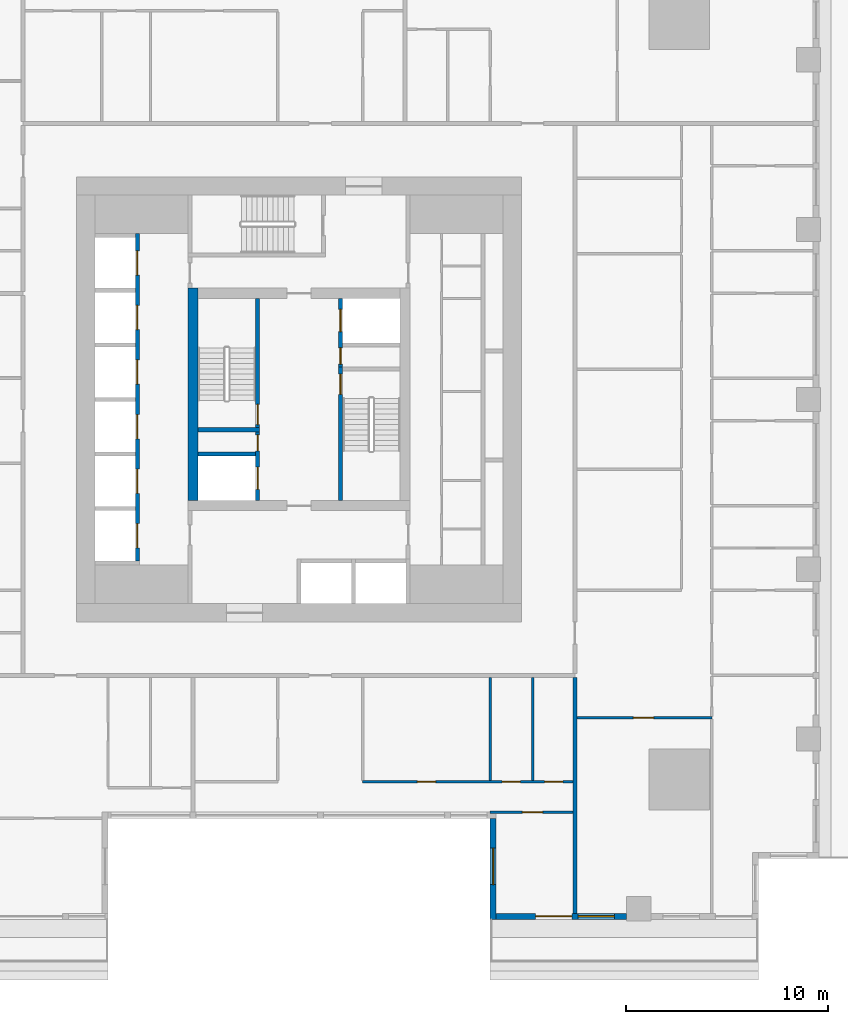
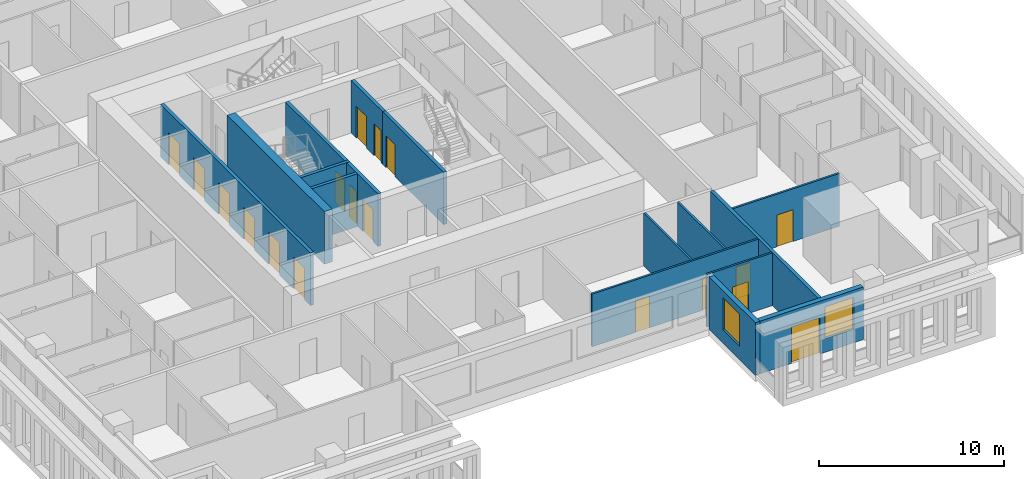
# One storey, part 4 of 15: 18 doors, 16 walls, 2 windows, 20 openings.
"""IFC4 building model written with IfcOpenShell, lengths in metres."""

from ifc_helpers import new_model, si_unit, direction, frame, frame_2d, origin, place, context, subcontext, project, spatial, rectangle, extrude, material, layer, layer_set, type_object, element, fill, save


model = new_model("IFC4")

# Units and contexts
model_context = context("Model", 3, precision=1e-05, world=origin(), true_north=direction((0.0, 1.0)))
body_context = subcontext(model_context, "Body", "Model", "MODEL_VIEW")
ifc_project = project(units=[si_unit("LENGTHUNIT", "METRE"), si_unit("AREAUNIT", "SQUARE_METRE"), si_unit("VOLUMEUNIT", "CUBIC_METRE"), si_unit("PLANEANGLEUNIT", "RADIAN"), si_unit("MASSUNIT", "GRAM", prefix="KILO")], contexts=[model_context])

# Site, building, storey
site_placement = place(None, origin())
site = spatial("IfcSite", under=ifc_project, at=site_placement, CompositionType="ELEMENT")
building_placement = place(site_placement, origin())
building = spatial("IfcBuilding", under=site, at=building_placement, Name="Khepri Terraces", CompositionType="ELEMENT")
storey_placement = place(building_placement, frame((0.0, 0.0, 54.300048828125)))
storey = spatial("IfcBuildingStorey", under=building, at=storey_placement, Name="L12", CompositionType="ELEMENT", Elevation=54.300048828125)

# Wall, opening, door
ifc_material_1 = material(Name="Concrete C80/95", Category="concrete")
ifc_layer_1 = layer(ifc_material_1, 0.199951171875, Name="Concrete C80/95", Category="concrete")
ifc_layer_set_1 = layer_set([ifc_layer_1], Name="Concrete C80/95")
wall_type_1 = type_object("IfcWallType", Name="Core wall 200 C80/95", PredefinedType="SHEAR", material=ifc_layer_set_1)
wall_1_placement = place(storey_placement, frame((2.050048828125, -5.0, 0.0), z_axis=(0.0, 0.0, 1.0), x_axis=(0.0, 1.0, 0.0)))
wall_1 = element("IfcWall", 1, at=wall_1_placement, inside=storey, type_object=wall_type_1, Name="Core wall ST01 L12", PredefinedType="SHEAR", context=body_context, shape_type="SweptSolid", body=[
    extrude(rectangle(XDim=6.60009765625, YDim=0.199951171875, at=frame_2d((3.300048828125, 0.0))), origin(), (0.0, 0.0, 1.0), 3.47998046875),
])
opening_1_placement = place(wall_1_placement, frame((5.25, 0.0, 0.0)))
opening_1 = element("IfcOpeningElement", 2, at=opening_1_placement, cuts=wall_1, Name="Opening L12-C10", PredefinedType="OPENING", context=body_context, shape_type="SweptSolid", body=[
    extrude(rectangle(XDim=1.0, YDim=2.10009765625, at=frame_2d((0.5, 1.050048828125))), frame((0.0, 0.10986328125, 0.0), z_axis=(0.0, -1.0, 0.0), x_axis=(1.0, 0.0, 0.0)), (0.0, 0.0, 1.0), 0.219970703125),
])
ifc_material_2 = material(Name="Painted steel", Category="steel")
door_type_1 = type_object("IfcDoorType", Name="DR-CORE-STAIR-1000", OperationType="NOTDEFINED", PredefinedType="DOOR", material=ifc_material_2)
door_1_placement = place(opening_1_placement, frame((1.0, 0.0, 0.0), z_axis=(0.0, 0.0, 1.0), x_axis=(-1.0, 0.0, 0.0)))
door_1 = element("IfcDoor", 3, at=door_1_placement, inside=storey, type_object=door_type_1, Name="Stair door L12-C10", OperationType="SINGLE_SWING_LEFT", OverallHeight=2.10009765625, OverallWidth=1.0, PredefinedType="DOOR", context=body_context, shape_type="SweptSolid", body=[
    extrude(rectangle(XDim=1.0, YDim=2.10009765625, at=frame_2d((0.5, 1.050048828125))), frame((0.0, 0.02490234375, 0.0), z_axis=(0.0, -1.0, 0.0), x_axis=(1.0, 0.0, 0.0)), (0.0, 0.0, 1.0), 0.050048828125),
])
fill(opening_1, door_1)

# Wall
wall_2_placement = place(storey_placement, frame((-5.0, -1.5, 0.0), z_axis=(0.0, 0.0, 1.0), x_axis=(1.0, 0.0, 0.0)))
element("IfcWall", 4, at=wall_2_placement, inside=storey, type_object=wall_type_1, Name="Core wall ST02 L12", PredefinedType="SHEAR", context=body_context, shape_type="SweptSolid", body=[
    extrude(rectangle(XDim=3.050048828125, YDim=0.199951171875, at=frame_2d((1.52490234375, 0.0))), origin(), (0.0, 0.0, 1.0), 3.47998046875),
])

# Wall, opening, door
wall_3_placement = place(storey_placement, frame((-2.050048828125, -1.39990234375, 0.0), z_axis=(0.0, 0.0, 1.0), x_axis=(0.0, 1.0, 0.0)))
wall_3 = element("IfcWall", 5, at=wall_3_placement, inside=storey, type_object=wall_type_1, Name="Core wall ST03 L12", PredefinedType="SHEAR", context=body_context, shape_type="SweptSolid", body=[
    extrude(rectangle(XDim=6.39990234375, YDim=0.199951171875, at=frame_2d((3.199951171875, 0.0))), origin(), (0.0, 0.0, 1.0), 3.47998046875),
])
opening_2_placement = place(wall_3_placement, frame((0.14990234375, 0.0, 0.0)))
opening_2 = element("IfcOpeningElement", 6, at=opening_2_placement, cuts=wall_3, Name="Opening L12-C09", PredefinedType="OPENING", context=body_context, shape_type="SweptSolid", body=[
    extrude(rectangle(XDim=1.0, YDim=2.10009765625, at=frame_2d((0.5, 1.050048828125))), frame((0.0, 0.10986328125, 0.0), z_axis=(0.0, -1.0, 0.0), x_axis=(1.0, 0.0, 0.0)), (0.0, 0.0, 1.0), 0.219970703125),
])
door_2_placement = place(opening_2_placement, origin())
door_2 = element("IfcDoor", 7, at=door_2_placement, inside=storey, type_object=door_type_1, Name="Stair door L12-C09", OperationType="SINGLE_SWING_LEFT", OverallHeight=2.10009765625, OverallWidth=1.0, PredefinedType="DOOR", context=body_context, shape_type="SweptSolid", body=[
    extrude(rectangle(XDim=1.0, YDim=2.10009765625, at=frame_2d((0.5, 1.050048828125))), frame((0.0, 0.02490234375, 0.0), z_axis=(0.0, -1.0, 0.0), x_axis=(1.0, 0.0, 0.0)), (0.0, 0.0, 1.0), 0.050048828125),
])
fill(opening_2, door_2)

# Wall, openings, doors
wall_4_placement = place(storey_placement, frame((-8.0, -8.0, 0.0), z_axis=(0.0, 0.0, 1.0), x_axis=(0.0, 1.0, 0.0)))
wall_4 = element("IfcWall", 8, at=wall_4_placement, inside=storey, type_object=wall_type_1, Name="Core wall SH08 L12", PredefinedType="SHEAR", context=body_context, shape_type="SweptSolid", body=[
    extrude(rectangle(XDim=16.199951171875, YDim=0.199951171875, at=frame_2d((8.10009765625, 0.0))), origin(), (0.0, 0.0, 1.0), 3.47998046875),
])
opening_3_placement = place(wall_4_placement, frame((0.64990234375, 0.0, 0.0)))
opening_3 = element("IfcOpeningElement", 9, at=opening_3_placement, cuts=wall_4, Name="Opening L12-C01", PredefinedType="OPENING", context=body_context, shape_type="SweptSolid", body=[
    extrude(rectangle(XDim=1.199951171875, YDim=2.10009765625, at=frame_2d((0.60009765625, 1.050048828125))), frame((0.0, 0.10986328125, 0.0), z_axis=(0.0, -1.0, 0.0), x_axis=(1.0, 0.0, 0.0)), (0.0, 0.0, 1.0), 0.219970703125),
])
opening_4_placement = place(wall_4_placement, frame((3.35009765625, 0.0, 0.0)))
opening_4 = element("IfcOpeningElement", 10, at=opening_4_placement, cuts=wall_4, Name="Opening L12-C02", PredefinedType="OPENING", context=body_context, shape_type="SweptSolid", body=[
    extrude(rectangle(XDim=1.199951171875, YDim=2.10009765625, at=frame_2d((0.60009765625, 1.050048828125))), frame((0.0, 0.10986328125, 0.0), z_axis=(0.0, -1.0, 0.0), x_axis=(1.0, 0.0, 0.0)), (0.0, 0.0, 1.0), 0.219970703125),
])
opening_5_placement = place(wall_4_placement, frame((6.050048828125, 0.0, 0.0)))
opening_5 = element("IfcOpeningElement", 11, at=opening_5_placement, cuts=wall_4, Name="Opening L12-C03", PredefinedType="OPENING", context=body_context, shape_type="SweptSolid", body=[
    extrude(rectangle(XDim=1.199951171875, YDim=2.10009765625, at=frame_2d((0.60009765625, 1.050048828125))), frame((0.0, 0.10986328125, 0.0), z_axis=(0.0, -1.0, 0.0), x_axis=(1.0, 0.0, 0.0)), (0.0, 0.0, 1.0), 0.219970703125),
])
opening_6_placement = place(wall_4_placement, frame((8.75, 0.0, 0.0)))
opening_6 = element("IfcOpeningElement", 12, at=opening_6_placement, cuts=wall_4, Name="Opening L12-C04", PredefinedType="OPENING", context=body_context, shape_type="SweptSolid", body=[
    extrude(rectangle(XDim=1.199951171875, YDim=2.10009765625, at=frame_2d((0.60009765625, 1.050048828125))), frame((0.0, 0.10986328125, 0.0), z_axis=(0.0, -1.0, 0.0), x_axis=(1.0, 0.0, 0.0)), (0.0, 0.0, 1.0), 0.219970703125),
])
opening_7_placement = place(wall_4_placement, frame((11.449951171875, 0.0, 0.0)))
opening_7 = element("IfcOpeningElement", 13, at=opening_7_placement, cuts=wall_4, Name="Opening L12-C05", PredefinedType="OPENING", context=body_context, shape_type="SweptSolid", body=[
    extrude(rectangle(XDim=1.199951171875, YDim=2.10009765625, at=frame_2d((0.60009765625, 1.050048828125))), frame((0.0, 0.10986328125, 0.0), z_axis=(0.0, -1.0, 0.0), x_axis=(1.0, 0.0, 0.0)), (0.0, 0.0, 1.0), 0.219970703125),
])
opening_8_placement = place(wall_4_placement, frame((14.14990234375, 0.0, 0.0)))
opening_8 = element("IfcOpeningElement", 14, at=opening_8_placement, cuts=wall_4, Name="Opening L12-C06", PredefinedType="OPENING", context=body_context, shape_type="SweptSolid", body=[
    extrude(rectangle(XDim=1.199951171875, YDim=2.10009765625, at=frame_2d((0.60009765625, 1.050048828125))), frame((0.0, 0.10986328125, 0.0), z_axis=(0.0, -1.0, 0.0), x_axis=(1.0, 0.0, 0.0)), (0.0, 0.0, 1.0), 0.219970703125),
])
ifc_material_3 = material(Name="Stainless steel 304", Category="steel")
door_type_2 = type_object("IfcDoorType", Name="DR-CORE-LANDING-1200", OperationType="NOTDEFINED", PredefinedType="DOOR", material=ifc_material_3)
door_3_placement = place(opening_3_placement, origin())
door_3 = element("IfcDoor", 15, at=door_3_placement, inside=storey, type_object=door_type_2, Name="Lift landing door L12-C01", OperationType="SLIDING_TO_LEFT", OverallHeight=2.10009765625, OverallWidth=1.199951171875, PredefinedType="DOOR", context=body_context, shape_type="SweptSolid", body=[
    extrude(rectangle(XDim=1.199951171875, YDim=2.10009765625, at=frame_2d((0.60009765625, 1.050048828125))), frame((0.0, 0.02490234375, 0.0), z_axis=(0.0, -1.0, 0.0), x_axis=(1.0, 0.0, 0.0)), (0.0, 0.0, 1.0), 0.050048828125),
])
fill(opening_3, door_3)
door_4_placement = place(opening_4_placement, origin())
door_4 = element("IfcDoor", 16, at=door_4_placement, inside=storey, type_object=door_type_2, Name="Lift landing door L12-C02", OperationType="SLIDING_TO_LEFT", OverallHeight=2.10009765625, OverallWidth=1.199951171875, PredefinedType="DOOR", context=body_context, shape_type="SweptSolid", body=[
    extrude(rectangle(XDim=1.199951171875, YDim=2.10009765625, at=frame_2d((0.60009765625, 1.050048828125))), frame((0.0, 0.02490234375, 0.0), z_axis=(0.0, -1.0, 0.0), x_axis=(1.0, 0.0, 0.0)), (0.0, 0.0, 1.0), 0.050048828125),
])
fill(opening_4, door_4)
door_5_placement = place(opening_5_placement, origin())
door_5 = element("IfcDoor", 17, at=door_5_placement, inside=storey, type_object=door_type_2, Name="Lift landing door L12-C03", OperationType="SLIDING_TO_LEFT", OverallHeight=2.10009765625, OverallWidth=1.199951171875, PredefinedType="DOOR", context=body_context, shape_type="SweptSolid", body=[
    extrude(rectangle(XDim=1.199951171875, YDim=2.10009765625, at=frame_2d((0.60009765625, 1.050048828125))), frame((0.0, 0.02490234375, 0.0), z_axis=(0.0, -1.0, 0.0), x_axis=(1.0, 0.0, 0.0)), (0.0, 0.0, 1.0), 0.050048828125),
])
fill(opening_5, door_5)
door_6_placement = place(opening_6_placement, origin())
door_6 = element("IfcDoor", 18, at=door_6_placement, inside=storey, type_object=door_type_2, Name="Lift landing door L12-C04", OperationType="SLIDING_TO_LEFT", OverallHeight=2.10009765625, OverallWidth=1.199951171875, PredefinedType="DOOR", context=body_context, shape_type="SweptSolid", body=[
    extrude(rectangle(XDim=1.199951171875, YDim=2.10009765625, at=frame_2d((0.60009765625, 1.050048828125))), frame((0.0, 0.02490234375, 0.0), z_axis=(0.0, -1.0, 0.0), x_axis=(1.0, 0.0, 0.0)), (0.0, 0.0, 1.0), 0.050048828125),
])
fill(opening_6, door_6)
door_7_placement = place(opening_7_placement, origin())
door_7 = element("IfcDoor", 19, at=door_7_placement, inside=storey, type_object=door_type_2, Name="Lift landing door L12-C05", OperationType="SLIDING_TO_LEFT", OverallHeight=2.10009765625, OverallWidth=1.199951171875, PredefinedType="DOOR", context=body_context, shape_type="SweptSolid", body=[
    extrude(rectangle(XDim=1.199951171875, YDim=2.10009765625, at=frame_2d((0.60009765625, 1.050048828125))), frame((0.0, 0.02490234375, 0.0), z_axis=(0.0, -1.0, 0.0), x_axis=(1.0, 0.0, 0.0)), (0.0, 0.0, 1.0), 0.050048828125),
])
fill(opening_7, door_7)
door_8_placement = place(opening_8_placement, origin())
door_8 = element("IfcDoor", 20, at=door_8_placement, inside=storey, type_object=door_type_2, Name="Lift landing door L12-C06", OperationType="SLIDING_TO_LEFT", OverallHeight=2.10009765625, OverallWidth=1.199951171875, PredefinedType="DOOR", context=body_context, shape_type="SweptSolid", body=[
    extrude(rectangle(XDim=1.199951171875, YDim=2.10009765625, at=frame_2d((0.60009765625, 1.050048828125))), frame((0.0, 0.02490234375, 0.0), z_axis=(0.0, -1.0, 0.0), x_axis=(1.0, 0.0, 0.0)), (0.0, 0.0, 1.0), 0.050048828125),
])
fill(opening_8, door_8)

wall_5_placement = place(storey_placement, frame((-2.050048828125, -5.0, 0.0), z_axis=(0.0, 0.0, 1.0), x_axis=(0.0, 1.0, 0.0)))
wall_5 = element("IfcWall", 21, at=wall_5_placement, inside=storey, type_object=wall_type_1, Name="Core wall SH10 L12", PredefinedType="SHEAR", context=body_context, shape_type="SweptSolid", body=[
    extrude(rectangle(XDim=3.39990234375, YDim=0.199951171875, at=frame_2d((1.699951171875, 0.0))), origin(), (0.0, 0.0, 1.0), 3.47998046875),
])
opening_9_placement = place(wall_5_placement, frame((0.550048828125, 0.0, 0.0)))
opening_9 = element("IfcOpeningElement", 22, at=opening_9_placement, cuts=wall_5, Name="Opening L12-C08", PredefinedType="OPENING", context=body_context, shape_type="SweptSolid", body=[
    extrude(rectangle(XDim=1.10009765625, YDim=2.10009765625, at=frame_2d((0.550048828125, 1.050048828125))), frame((0.0, 0.10986328125, 0.0), z_axis=(0.0, -1.0, 0.0), x_axis=(1.0, 0.0, 0.0)), (0.0, 0.0, 1.0), 0.219970703125),
])
opening_10_placement = place(wall_5_placement, frame((2.449951171875, 0.0, 0.0)))
opening_10 = element("IfcOpeningElement", 23, at=opening_10_placement, cuts=wall_5, Name="Opening L12-C12", PredefinedType="OPENING", context=body_context, shape_type="SweptSolid", body=[
    extrude(rectangle(XDim=0.800048828125, YDim=2.10009765625, at=frame_2d((0.39990234375, 1.050048828125))), frame((0.0, 0.10986328125, 0.0), z_axis=(0.0, -1.0, 0.0), x_axis=(1.0, 0.0, 0.0)), (0.0, 0.0, 1.0), 0.219970703125),
])
door_type_3 = type_object("IfcDoorType", Name="DR-CORE-FF-LANDING-1100", OperationType="NOTDEFINED", PredefinedType="DOOR", material=ifc_material_3)
door_9_placement = place(opening_9_placement, origin())
door_9 = element("IfcDoor", 24, at=door_9_placement, inside=storey, type_object=door_type_3, Name="Firefighting lift landing door L12-C08", OperationType="SLIDING_TO_LEFT", OverallHeight=2.10009765625, OverallWidth=1.10009765625, PredefinedType="DOOR", context=body_context, shape_type="SweptSolid", body=[
    extrude(rectangle(XDim=1.10009765625, YDim=2.10009765625, at=frame_2d((0.550048828125, 1.050048828125))), frame((0.0, 0.02490234375, 0.0), z_axis=(0.0, -1.0, 0.0), x_axis=(1.0, 0.0, 0.0)), (0.0, 0.0, 1.0), 0.050048828125),
])
fill(opening_9, door_9)
door_type_4 = type_object("IfcDoorType", Name="DR-CORE-RISER-800", OperationType="NOTDEFINED", PredefinedType="DOOR", material=ifc_material_2)
door_10_placement = place(opening_10_placement, origin())
door_10 = element("IfcDoor", 25, at=door_10_placement, inside=storey, type_object=door_type_4, Name="Riser door L12-C12", OperationType="SINGLE_SWING_RIGHT", OverallHeight=2.10009765625, OverallWidth=0.800048828125, PredefinedType="DOOR", context=body_context, shape_type="SweptSolid", body=[
    extrude(rectangle(XDim=0.800048828125, YDim=2.10009765625, at=frame_2d((0.39990234375, 1.050048828125))), frame((0.0, 0.02490234375, 0.0), z_axis=(0.0, -1.0, 0.0), x_axis=(1.0, 0.0, 0.0)), (0.0, 0.0, 1.0), 0.050048828125),
])
fill(opening_10, door_10)

# Wall
wall_6_placement = place(storey_placement, frame((-5.0, -2.699951171875, 0.0), z_axis=(0.0, 0.0, 1.0), x_axis=(1.0, 0.0, 0.0)))
element("IfcWall", 26, at=wall_6_placement, inside=storey, type_object=wall_type_1, Name="Core wall SH13 L12", PredefinedType="SHEAR", context=body_context, shape_type="SweptSolid", body=[
    extrude(rectangle(XDim=2.85009765625, YDim=0.199951171875, at=frame_2d((1.425048828125, 0.0))), origin(), (0.0, 0.0, 1.0), 3.47998046875),
])

# Wall, openings, doors
wall_7_placement = place(storey_placement, frame((2.050048828125, 1.60009765625, 0.0), z_axis=(0.0, 0.0, 1.0), x_axis=(0.0, 1.0, 0.0)))
wall_7 = element("IfcWall", 27, at=wall_7_placement, inside=storey, type_object=wall_type_1, Name="Core wall SH15 L12", PredefinedType="SHEAR", context=body_context, shape_type="SweptSolid", body=[
    extrude(rectangle(XDim=3.39990234375, YDim=0.199951171875, at=frame_2d((1.699951171875, 0.0))), origin(), (0.0, 0.0, 1.0), 3.47998046875),
])
opening_11_placement = place(wall_7_placement, frame((1.75, 0.0, 0.0)))
opening_11 = element("IfcOpeningElement", 28, at=opening_11_placement, cuts=wall_7, Name="Opening L12-C07", PredefinedType="OPENING", context=body_context, shape_type="SweptSolid", body=[
    extrude(rectangle(XDim=1.10009765625, YDim=2.10009765625, at=frame_2d((0.550048828125, 1.050048828125))), frame((0.0, 0.10986328125, 0.0), z_axis=(0.0, -1.0, 0.0), x_axis=(1.0, 0.0, 0.0)), (0.0, 0.0, 1.0), 0.219970703125),
])
opening_12_placement = place(wall_7_placement, frame((0.14990234375, 0.0, 0.0)))
opening_12 = element("IfcOpeningElement", 29, at=opening_12_placement, cuts=wall_7, Name="Opening L12-C11", PredefinedType="OPENING", context=body_context, shape_type="SweptSolid", body=[
    extrude(rectangle(XDim=0.800048828125, YDim=2.10009765625, at=frame_2d((0.39990234375, 1.050048828125))), frame((0.0, 0.10986328125, 0.0), z_axis=(0.0, -1.0, 0.0), x_axis=(1.0, 0.0, 0.0)), (0.0, 0.0, 1.0), 0.219970703125),
])
door_11_placement = place(opening_11_placement, origin())
door_11 = element("IfcDoor", 30, at=door_11_placement, inside=storey, type_object=door_type_3, Name="Firefighting lift landing door L12-C07", OperationType="SLIDING_TO_LEFT", OverallHeight=2.10009765625, OverallWidth=1.10009765625, PredefinedType="DOOR", context=body_context, shape_type="SweptSolid", body=[
    extrude(rectangle(XDim=1.10009765625, YDim=2.10009765625, at=frame_2d((0.550048828125, 1.050048828125))), frame((0.0, 0.02490234375, 0.0), z_axis=(0.0, -1.0, 0.0), x_axis=(1.0, 0.0, 0.0)), (0.0, 0.0, 1.0), 0.050048828125),
])
fill(opening_11, door_11)
door_12_placement = place(opening_12_placement, frame((0.800048828125, 0.0, 0.0), z_axis=(0.0, 0.0, 1.0), x_axis=(-1.0, 0.0, 0.0)))
door_12 = element("IfcDoor", 31, at=door_12_placement, inside=storey, type_object=door_type_4, Name="Riser door L12-C11", OperationType="SINGLE_SWING_RIGHT", OverallHeight=2.10009765625, OverallWidth=0.800048828125, PredefinedType="DOOR", context=body_context, shape_type="SweptSolid", body=[
    extrude(rectangle(XDim=0.800048828125, YDim=2.10009765625, at=frame_2d((0.39990234375, 1.050048828125))), frame((0.0, 0.02490234375, 0.0), z_axis=(0.0, -1.0, 0.0), x_axis=(1.0, 0.0, 0.0)), (0.0, 0.0, 1.0), 0.050048828125),
])
fill(opening_12, door_12)

# Walls
ifc_layer_2 = layer(ifc_material_1, 0.5, Name="Concrete C80/95", Category="concrete")
ifc_layer_set_2 = layer_set([ifc_layer_2], Name="Concrete C80/95")
wall_type_2 = type_object("IfcWallType", Name="Core wall 500 C80/95", PredefinedType="SHEAR", material=ifc_layer_set_2)
wall_8_placement = place(storey_placement, frame((-5.25, -5.0, 0.0), z_axis=(0.0, 0.0, 1.0), x_axis=(0.0, 1.0, 0.0)))
element("IfcWall", 32, at=wall_8_placement, inside=storey, type_object=wall_type_2, Name="Core wall BX02 L12", PredefinedType="SHEAR", context=body_context, shape_type="SweptSolid", body=[
    extrude(rectangle(XDim=10.5, YDim=0.5, at=frame_2d((5.25, 0.0))), origin(), (0.0, 0.0, 1.0), 3.47998046875),
])
ifc_material_4 = material(Name="Fire-rated gypsum plasterboard partition, mineral wool")
ifc_layer_3 = layer(ifc_material_4, 0.199951171875, Name="Fire-rated gypsum plasterboard partition, mineral wool")
ifc_layer_set_3 = layer_set([ifc_layer_3], Name="Fire-rated gypsum plasterboard partition, mineral wool")
wall_type_3 = type_object("IfcWallType", Name="WL-CORR-200", PredefinedType="PARTITIONING", material=ifc_layer_set_3)
wall_9_placement = place(storey_placement, frame((13.64990234375, -25.419921875, 0.0), z_axis=(0.0, 0.0, 1.0), x_axis=(0.0, 1.0, 0.0)))
element("IfcWall", 33, at=wall_9_placement, inside=storey, type_object=wall_type_3, Name="Partition P-001 L12", PredefinedType="PARTITIONING", context=body_context, shape_type="SweptSolid", body=[
    extrude(rectangle(XDim=11.669921875, YDim=0.199951171875, at=frame_2d((5.8349609375, 0.0))), origin(), (0.0, 0.0, 1.0), 3.47998046875),
])

# Wall, opening, window
ifc_material_5 = material(Name="Precast concrete C50/60 warm stone", Category="masonry")
ifc_layer_4 = layer(ifc_material_5, 0.300048828125, Name="Precast concrete C50/60 warm stone", Category="masonry")
ifc_layer_set_4 = layer_set([ifc_layer_4], Name="Precast concrete C50/60 warm stone")
wall_type_4 = type_object("IfcWallType", Name="WL-EXT-PRECAST-300", PredefinedType="STANDARD", material=ifc_layer_set_4)
wall_10_placement = place(storey_placement, frame((9.60009765625, -20.719970703125, 0.0), z_axis=(0.0, 0.0, 1.0), x_axis=(0.0, -1.0, 0.0)))
wall_10 = element("IfcWall", 34, at=wall_10_placement, inside=storey, type_object=wall_type_4, Name="External wall L12 W", PredefinedType="STANDARD", context=body_context, shape_type="SweptSolid", body=[
    extrude(rectangle(XDim=5.0, YDim=0.300048828125, at=frame_2d((2.5, 0.0))), origin(), (0.0, 0.0, 1.0), 3.47998046875),
])
opening_13_placement = place(wall_10_placement, frame((1.47998046875, 0.0, 0.89990234375)))
opening_13 = element("IfcOpeningElement", 35, at=opening_13_placement, cuts=wall_10, Name="Opening W1", PredefinedType="OPENING", context=body_context, shape_type="SweptSolid", body=[
    extrude(rectangle(XDim=1.800048828125, YDim=2.10009765625, at=frame_2d((0.89990234375, 1.050048828125))), frame((0.0, 0.16015625, 0.0), z_axis=(0.0, -1.0, 0.0), x_axis=(1.0, 0.0, 0.0)), (0.0, 0.0, 1.0), 0.320068359375),
])
ifc_material_6 = material(Name="Clear glass", Category="glass")
window_type = type_object("IfcWindowType", Name="WIN-RES-1800x2100", PartitioningType="SINGLE_PANEL", PredefinedType="WINDOW", material=ifc_material_6)
window_1_placement = place(opening_13_placement, origin())
window_1 = element("IfcWindow", 36, at=window_1_placement, inside=storey, type_object=window_type, Name="Window L12 W", OverallHeight=2.10009765625, OverallWidth=1.800048828125, PartitioningType="SINGLE_PANEL", PredefinedType="WINDOW", context=body_context, shape_type="SweptSolid", body=[
    extrude(rectangle(XDim=1.800048828125, YDim=2.10009765625, at=frame_2d((0.89990234375, 1.050048828125))), frame((0.0, 0.030029296875, 0.0), z_axis=(0.0, -1.0, 0.0), x_axis=(1.0, 0.0, 0.0)), (0.0, 0.0, 1.0), 0.06005859375),
])
fill(opening_13, window_1)

# Wall, openings, door, window
wall_11_placement = place(storey_placement, frame((9.75, -25.570068359375, 0.0), z_axis=(0.0, 0.0, 1.0), x_axis=(1.0, 0.0, 0.0)))
wall_11 = element("IfcWall", 37, at=wall_11_placement, inside=storey, type_object=wall_type_4, Name="External wall L12 S", PredefinedType="STANDARD", context=body_context, shape_type="SweptSolid", body=[
    extrude(rectangle(XDim=6.449951171875, YDim=0.300048828125, at=frame_2d((3.22509765625, 0.0))), origin(), (0.0, 0.0, 1.0), 3.47998046875),
])
opening_14_placement = place(wall_11_placement, frame((1.949951171875, 0.0, 0.0)))
opening_14 = element("IfcOpeningElement", 38, at=opening_14_placement, cuts=wall_11, Name="Opening ED-L12-19", PredefinedType="OPENING", context=body_context, shape_type="SweptSolid", body=[
    extrude(rectangle(XDim=1.800048828125, YDim=2.39990234375, at=frame_2d((0.89990234375, 1.199951171875))), frame((0.0, 0.16015625, 0.0), z_axis=(0.0, -1.0, 0.0), x_axis=(1.0, 0.0, 0.0)), (0.0, 0.0, 1.0), 0.320068359375),
])
opening_15_placement = place(wall_11_placement, frame((4.050048828125, 0.0, 0.89990234375)))
opening_15 = element("IfcOpeningElement", 39, at=opening_15_placement, cuts=wall_11, Name="Opening W1", PredefinedType="OPENING", context=body_context, shape_type="SweptSolid", body=[
    extrude(rectangle(XDim=1.800048828125, YDim=2.10009765625, at=frame_2d((0.89990234375, 1.050048828125))), frame((0.0, 0.16015625, 0.0), z_axis=(0.0, -1.0, 0.0), x_axis=(1.0, 0.0, 0.0)), (0.0, 0.0, 1.0), 0.320068359375),
])
ifc_material_7 = material(Name="Anodised aluminium bronze glazed door", Category="aluminium")
door_type_5 = type_object("IfcDoorType", Name="DR-BAL-SLIDE-1800x2400", OperationType="NOTDEFINED", PredefinedType="DOOR", material=ifc_material_7)
door_13_placement = place(opening_14_placement, origin())
door_13 = element("IfcDoor", 40, at=door_13_placement, inside=storey, type_object=door_type_5, Name="Balcony door L12 S", OperationType="SLIDING_TO_RIGHT", OverallHeight=2.39990234375, OverallWidth=1.800048828125, PredefinedType="DOOR", context=body_context, shape_type="SweptSolid", body=[
    extrude(rectangle(XDim=1.800048828125, YDim=2.39990234375, at=frame_2d((0.89990234375, 1.199951171875))), frame((0.0, 0.02490234375, 0.0), z_axis=(0.0, -1.0, 0.0), x_axis=(1.0, 0.0, 0.0)), (0.0, 0.0, 1.0), 0.050048828125),
])
fill(opening_14, door_13)
window_2_placement = place(opening_15_placement, origin())
window_2 = element("IfcWindow", 41, at=window_2_placement, inside=storey, type_object=window_type, Name="Window L12 S", OverallHeight=2.10009765625, OverallWidth=1.800048828125, PartitioningType="SINGLE_PANEL", PredefinedType="WINDOW", context=body_context, shape_type="SweptSolid", body=[
    extrude(rectangle(XDim=1.800048828125, YDim=2.10009765625, at=frame_2d((0.89990234375, 1.050048828125))), frame((0.0, 0.030029296875, 0.0), z_axis=(0.0, -1.0, 0.0), x_axis=(1.0, 0.0, 0.0)), (0.0, 0.0, 1.0), 0.06005859375),
])
fill(opening_15, window_2)

# Wall, opening, door
ifc_material_8 = material(Name="Gypsum plasterboard partition")
ifc_layer_5 = layer(ifc_material_8, 0.1201171875, Name="Gypsum plasterboard partition")
ifc_layer_set_5 = layer_set([ifc_layer_5], Name="Gypsum plasterboard partition")
wall_type_5 = type_object("IfcWallType", Name="WL-PART-120", PredefinedType="PARTITIONING", material=ifc_layer_set_5)
wall_12_placement = place(storey_placement, frame((9.449951171875, -20.419921875, 0.0), z_axis=(0.0, 0.0, 1.0), x_axis=(1.0, 0.0, 0.0)))
wall_12 = element("IfcWall", 42, at=wall_12_placement, inside=storey, type_object=wall_type_5, Name="Partition P-008 L12", PredefinedType="PARTITIONING", context=body_context, shape_type="SweptSolid", body=[
    extrude(rectangle(XDim=4.10009765625, YDim=0.1201171875, at=frame_2d((2.050048828125, 0.0))), origin(), (0.0, 0.0, 1.0), 3.47998046875),
])
opening_16_placement = place(wall_12_placement, frame((1.60009765625, 0.0, 0.0)))
opening_16 = element("IfcOpeningElement", 43, at=opening_16_placement, cuts=wall_12, Name="Opening D2", PredefinedType="OPENING", context=body_context, shape_type="SweptSolid", body=[
    extrude(rectangle(XDim=1.0, YDim=2.10009765625, at=frame_2d((0.5, 1.050048828125))), frame((0.0, 0.070068359375, 0.0), z_axis=(0.0, -1.0, 0.0), x_axis=(1.0, 0.0, 0.0)), (0.0, 0.0, 1.0), 0.14013671875),
])
ifc_material_9 = material(Name="Timber door leaf, living room door", Category="wood")
door_type_6 = type_object("IfcDoorType", Name="DR-INT-1000", OperationType="NOTDEFINED", PredefinedType="DOOR", material=ifc_material_9)
door_14_placement = place(opening_16_placement, frame((1.0, 0.0, 0.0), z_axis=(0.0, 0.0, 1.0), x_axis=(-1.0, 0.0, 0.0)))
door_14 = element("IfcDoor", 44, at=door_14_placement, inside=storey, type_object=door_type_6, Name="Door Living Room", OperationType="SINGLE_SWING_LEFT", OverallHeight=2.10009765625, OverallWidth=1.0, PredefinedType="DOOR", context=body_context, shape_type="SweptSolid", body=[
    extrude(rectangle(XDim=1.0, YDim=2.10009765625, at=frame_2d((0.5, 1.050048828125))), frame((0.0, 0.02490234375, 0.0), z_axis=(0.0, -1.0, 0.0), x_axis=(1.0, 0.0, 0.0)), (0.0, 0.0, 1.0), 0.050048828125),
])
fill(opening_16, door_14)

# Wall, openings, doors
wall_13_placement = place(storey_placement, frame((3.14990234375, -18.919921875, 0.0), z_axis=(0.0, 0.0, 1.0), x_axis=(1.0, 0.0, 0.0)))
wall_13 = element("IfcWall", 45, at=wall_13_placement, inside=storey, type_object=wall_type_5, Name="Partition P-013 L12", PredefinedType="PARTITIONING", context=body_context, shape_type="SweptSolid", body=[
    extrude(rectangle(XDim=10.400146484375, YDim=0.1201171875, at=frame_2d((5.2001953125, 0.0))), origin(), (0.0, 0.0, 1.0), 3.47998046875),
])
opening_17_placement = place(wall_13_placement, frame((2.699951171875, 0.0, 0.0)))
opening_17 = element("IfcOpeningElement", 46, at=opening_17_placement, cuts=wall_13, Name="Opening D3", PredefinedType="OPENING", context=body_context, shape_type="SweptSolid", body=[
    extrude(rectangle(XDim=0.89990234375, YDim=2.10009765625, at=frame_2d((0.449951171875, 1.050048828125))), frame((0.0, 0.070068359375, 0.0), z_axis=(0.0, -1.0, 0.0), x_axis=(1.0, 0.0, 0.0)), (0.0, 0.0, 1.0), 0.14013671875),
])
opening_18_placement = place(wall_13_placement, frame((6.89990234375, 0.0, 0.0)))
opening_18 = element("IfcOpeningElement", 47, at=opening_18_placement, cuts=wall_13, Name="Opening D4", PredefinedType="OPENING", context=body_context, shape_type="SweptSolid", body=[
    extrude(rectangle(XDim=0.89990234375, YDim=2.10009765625, at=frame_2d((0.449951171875, 1.050048828125))), frame((0.0, 0.070068359375, 0.0), z_axis=(0.0, -1.0, 0.0), x_axis=(1.0, 0.0, 0.0)), (0.0, 0.0, 1.0), 0.14013671875),
])
opening_19_placement = place(wall_13_placement, frame((9.0, 0.0, 0.0)))
opening_19 = element("IfcOpeningElement", 48, at=opening_19_placement, cuts=wall_13, Name="Opening D3", PredefinedType="OPENING", context=body_context, shape_type="SweptSolid", body=[
    extrude(rectangle(XDim=0.89990234375, YDim=2.10009765625, at=frame_2d((0.449951171875, 1.050048828125))), frame((0.0, 0.070068359375, 0.0), z_axis=(0.0, -1.0, 0.0), x_axis=(1.0, 0.0, 0.0)), (0.0, 0.0, 1.0), 0.14013671875),
])
ifc_material_10 = material(Name="Timber door leaf", Category="wood")
door_type_7 = type_object("IfcDoorType", Name="DR-INT-900", OperationType="NOTDEFINED", PredefinedType="DOOR", material=ifc_material_10)
door_15_placement = place(opening_17_placement, origin())
door_15 = element("IfcDoor", 49, at=door_15_placement, inside=storey, type_object=door_type_7, Name="Door Kitchen", OperationType="SINGLE_SWING_LEFT", OverallHeight=2.10009765625, OverallWidth=0.89990234375, PredefinedType="DOOR", context=body_context, shape_type="SweptSolid", body=[
    extrude(rectangle(XDim=0.89990234375, YDim=2.10009765625, at=frame_2d((0.449951171875, 1.050048828125))), frame((0.0, 0.02490234375, 0.0), z_axis=(0.0, -1.0, 0.0), x_axis=(1.0, 0.0, 0.0)), (0.0, 0.0, 1.0), 0.050048828125),
])
fill(opening_17, door_15)
door_16_placement = place(opening_19_placement, origin())
door_16 = element("IfcDoor", 50, at=door_16_placement, inside=storey, type_object=door_type_7, Name="Door Utility Room", OperationType="SINGLE_SWING_RIGHT", OverallHeight=2.10009765625, OverallWidth=0.89990234375, PredefinedType="DOOR", context=body_context, shape_type="SweptSolid", body=[
    extrude(rectangle(XDim=0.89990234375, YDim=2.10009765625, at=frame_2d((0.449951171875, 1.050048828125))), frame((0.0, 0.02490234375, 0.0), z_axis=(0.0, -1.0, 0.0), x_axis=(1.0, 0.0, 0.0)), (0.0, 0.0, 1.0), 0.050048828125),
])
fill(opening_19, door_16)
ifc_material_11 = material(Name="Timber door leaf, moisture resistant", Category="wood")
door_type_8 = type_object("IfcDoorType", Name="DR-WET-900", OperationType="NOTDEFINED", PredefinedType="DOOR", material=ifc_material_11)
door_17_placement = place(opening_18_placement, origin())
door_17 = element("IfcDoor", 51, at=door_17_placement, inside=storey, type_object=door_type_8, Name="Door Guest Bathroom", OperationType="SINGLE_SWING_RIGHT", OverallHeight=2.10009765625, OverallWidth=0.89990234375, PredefinedType="DOOR", context=body_context, shape_type="SweptSolid", body=[
    extrude(rectangle(XDim=0.89990234375, YDim=2.10009765625, at=frame_2d((0.449951171875, 1.050048828125))), frame((0.0, 0.02490234375, 0.0), z_axis=(0.0, -1.0, 0.0), x_axis=(1.0, 0.0, 0.0)), (0.0, 0.0, 1.0), 0.050048828125),
])
fill(opening_18, door_17)

# Walls
for number, where, z_axis, x_axis, name in (
    (52, (9.449951171875, -18.860107421875, 0.0), (0.0, 0.0, 1.0), (0.0, 1.0, 0.0), "Partition P-016 L12"),
    (53, (11.550048828125, -18.860107421875, 0.0), (0.0, 0.0, 1.0), (0.0, 1.0, 0.0), "Partition P-017 L12"),
):
    element("IfcWall", number, at=place(storey_placement, frame(where, z_axis=z_axis, x_axis=x_axis)), inside=storey, type_object=wall_type_5, Name=name, PredefinedType="PARTITIONING", context=body_context, shape_type="SweptSolid", body=[
        extrude(rectangle(XDim=5.110107421875, YDim=0.1201171875, at=frame_2d((2.55517578125, 0.0))), origin(), (0.0, 0.0, 1.0), 3.47998046875),
    ])

# Wall, opening, door
wall_14_placement = place(storey_placement, frame((13.75, -15.75, 0.0), z_axis=(0.0, 0.0, 1.0), x_axis=(1.0, 0.0, 0.0)))
wall_14 = element("IfcWall", 54, at=wall_14_placement, inside=storey, type_object=wall_type_5, Name="Partition P-018 L12", PredefinedType="PARTITIONING", context=body_context, shape_type="SweptSolid", body=[
    extrude(rectangle(XDim=6.669921875, YDim=0.1201171875, at=frame_2d((3.3349609375, 0.0))), origin(), (0.0, 0.0, 1.0), 3.47998046875),
])
opening_20_placement = place(wall_14_placement, frame((2.784912109375, 0.0, 0.0)))
opening_20 = element("IfcOpeningElement", 55, at=opening_20_placement, cuts=wall_14, Name="Opening D2", PredefinedType="OPENING", context=body_context, shape_type="SweptSolid", body=[
    extrude(rectangle(XDim=1.0, YDim=2.10009765625, at=frame_2d((0.5, 1.050048828125))), frame((0.0, 0.070068359375, 0.0), z_axis=(0.0, -1.0, 0.0), x_axis=(1.0, 0.0, 0.0)), (0.0, 0.0, 1.0), 0.14013671875),
])
door_18_placement = place(opening_20_placement, frame((1.0, 0.0, 0.0), z_axis=(0.0, 0.0, 1.0), x_axis=(-1.0, 0.0, 0.0)))
door_18 = element("IfcDoor", 56, at=door_18_placement, inside=storey, type_object=door_type_6, Name="Door Family Room", OperationType="SINGLE_SWING_RIGHT", OverallHeight=2.10009765625, OverallWidth=1.0, PredefinedType="DOOR", context=body_context, shape_type="SweptSolid", body=[
    extrude(rectangle(XDim=1.0, YDim=2.10009765625, at=frame_2d((0.5, 1.050048828125))), frame((0.0, 0.02490234375, 0.0), z_axis=(0.0, -1.0, 0.0), x_axis=(1.0, 0.0, 0.0)), (0.0, 0.0, 1.0), 0.050048828125),
])
fill(opening_20, door_18)

save(model, "model.ifc")
